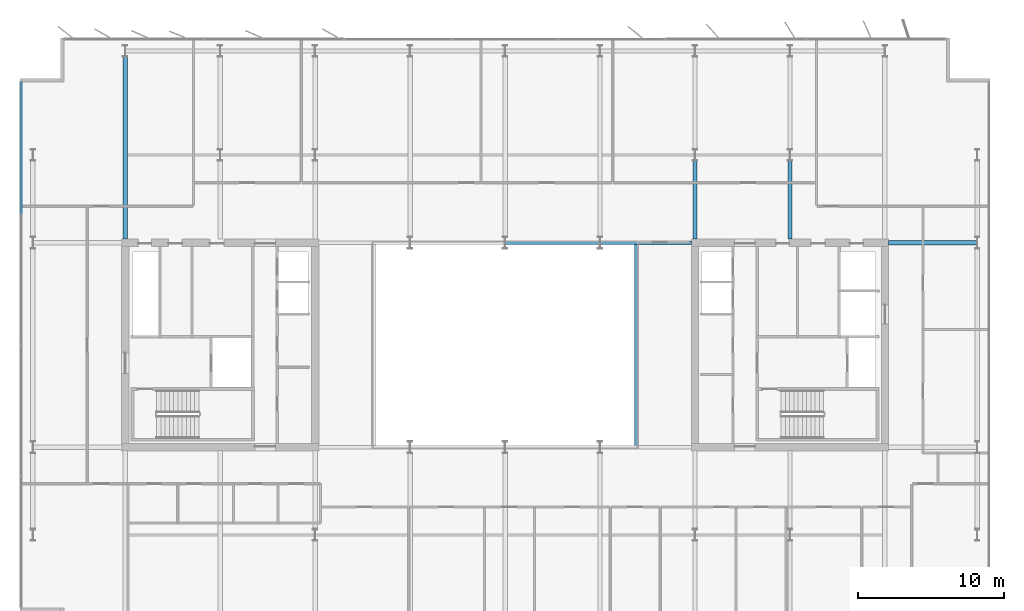
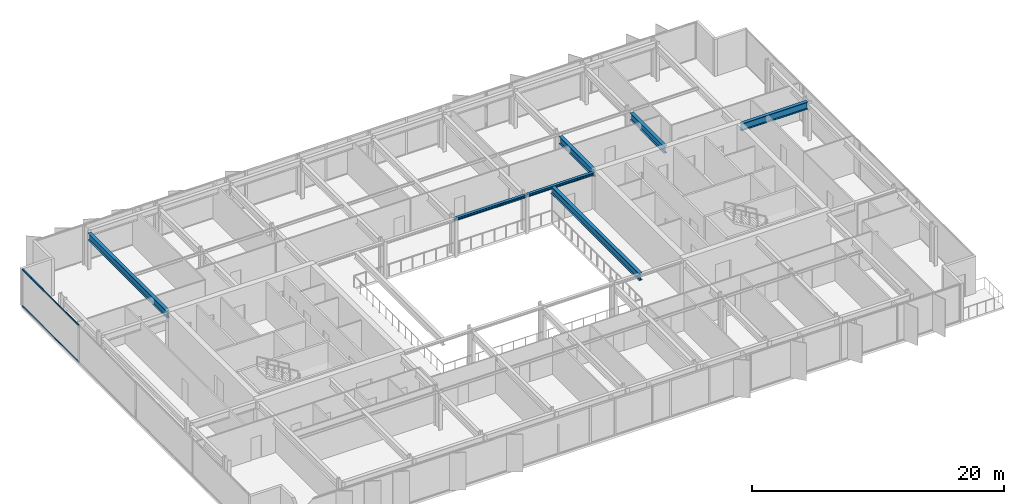
# One storey, part 9 of 24: 7 beams, 2 members, 1 element without a shape of its own.
"""IFC4 building model written with IfcOpenShell, lengths in metres."""

from ifc_helpers import new_model, si_unit, direction, frame, origin, origin_2d, place, context, subcontext, project, spatial, rectangle, i_section, extrude, material, layer, layer_set, material_profile, profile_set, type_object, element, aggregate, save


model = new_model("IFC4")

# Units and contexts
model_context = context("Model", 3, precision=1e-05, world=origin(), true_north=direction((0.0, 1.0)))
body_context = subcontext(model_context, "Body", "Model", "MODEL_VIEW")
ifc_project = project(units=[si_unit("LENGTHUNIT", "METRE"), si_unit("AREAUNIT", "SQUARE_METRE"), si_unit("VOLUMEUNIT", "CUBIC_METRE"), si_unit("PLANEANGLEUNIT", "RADIAN"), si_unit("MASSUNIT", "GRAM", prefix="KILO")], contexts=[model_context])

# Site, building, storey
site_placement = place(None, origin())
site = spatial("IfcSite", under=ifc_project, at=site_placement, CompositionType="ELEMENT")
building_placement = place(site_placement, origin())
building = spatial("IfcBuilding", under=site, at=building_placement, Name="Putna Gate Headquarters", CompositionType="ELEMENT")
storey_placement = place(building_placement, frame((0.0, 0.0, 240.39990234375)))
storey = spatial("IfcBuildingStorey", under=building, at=storey_placement, Name="L60", CompositionType="ELEMENT", Elevation=240.39990234375)

# Beams
ifc_material_1 = material(Name="Steel S355J2", Category="steel")
ifc_material_profile_1 = material_profile(ifc_material_1, i_section(OverallWidth=0.260009765625, OverallDepth=0.260009765625, WebThickness=0.010009765625, FlangeThickness=0.017578125, at=origin_2d()), Name="Steel S355J2")
ifc_profile_set_1 = profile_set([ifc_material_profile_1], Name="Steel S355J2")
beam_type_1 = type_object("IfcBeamType", Name="BM-ATRIUM-HEB260", PredefinedType="BEAM", material=ifc_profile_set_1)
beam_1_placement = place(storey_placement, frame((39.006103515625, 33.0, 3.4501953125), z_axis=(1.0, 0.0, 0.0), x_axis=(0.0, 1.0, 0.0)))
element("IfcBeam", 1, at=beam_1_placement, inside=storey, type_object=beam_type_1, Name="L60 Atrium Edge Beam AN3", PredefinedType="BEAM", context=body_context, shape_type="SweptSolid", body=[
    extrude(i_section(OverallWidth=0.260009765625, OverallDepth=0.260009765625, WebThickness=0.010009765625, FlangeThickness=0.017578125, at=origin_2d()), origin(), (0.0, 0.0, 1.0), 6.48779296875),
])
beam_2_placement = place(storey_placement, frame((45.506103515625, 33.0, 3.4501953125), z_axis=(1.0, 0.0, 0.0), x_axis=(0.0, 1.0, 0.0)))
element("IfcBeam", 2, at=beam_2_placement, inside=storey, type_object=beam_type_1, Name="L60 Atrium Edge Beam AN4", PredefinedType="BEAM", context=body_context, shape_type="SweptSolid", body=[
    extrude(i_section(OverallWidth=0.260009765625, OverallDepth=0.260009765625, WebThickness=0.010009765625, FlangeThickness=0.017578125, at=origin_2d()), origin(), (0.0, 0.0, 1.0), 6.2587890625),
])
ifc_material_profile_2 = material_profile(ifc_material_1, i_section(OverallWidth=0.300048828125, OverallDepth=0.699951171875, WebThickness=0.01708984375, FlangeThickness=0.031982421875, at=origin_2d()), Name="Steel S355J2")
ifc_profile_set_2 = profile_set([ifc_material_profile_2], Name="Steel S355J2")
beam_type_2 = type_object("IfcBeamType", Name="BM-GIRD-B-HEB700", PredefinedType="USERDEFINED", material=ifc_profile_set_2)
beam_3_placement = place(storey_placement, frame((65.235107421875, 33.0, 3.22998046875), z_axis=(1.0, 0.0, 0.0), x_axis=(0.0, 1.0, 0.0)))
element("IfcBeam", 3, at=beam_3_placement, inside=storey, type_object=beam_type_2, Name="L60 East Wing Girder Y33", ObjectType="GIRDER", PredefinedType="USERDEFINED", context=body_context, shape_type="SweptSolid", body=[
    extrude(i_section(OverallWidth=0.300048828125, OverallDepth=0.699951171875, WebThickness=0.01708984375, FlangeThickness=0.031982421875, at=origin_2d()), origin(), (0.0, 0.0, 1.0), 6.078857421875),
])
beam_4_placement = place(storey_placement, frame((13.0, 33.235107421875, 3.22998046875), z_axis=(0.0, 1.0, 0.0), x_axis=(-1.0, 0.0, 0.0)))
element("IfcBeam", 4, at=beam_4_placement, inside=storey, type_object=beam_type_2, Name="L60 North Primary Girder X13", ObjectType="GIRDER", PredefinedType="USERDEFINED", context=body_context, shape_type="SweptSolid", body=[
    extrude(i_section(OverallWidth=0.300048828125, OverallDepth=0.699951171875, WebThickness=0.01708984375, FlangeThickness=0.031982421875, at=origin_2d()), origin(), (0.0, 0.0, 1.0), 12.489990234375),
])
for number, where, z_axis, x_axis, name in (
    (5, (52.0, 33.235107421875, 3.22998046875), (0.0, 1.0, 0.0), (-1.0, 0.0, 0.0), "L60 North Primary Girder X52-1"),
    (6, (58.5, 33.235107421875, 3.22998046875), (0.0, 1.0, 0.0), (-1.0, 0.0, 0.0), "L60 North Primary Girder X58-1"),
):
    element("IfcBeam", number, at=place(storey_placement, frame(where, z_axis=z_axis, x_axis=x_axis)), inside=storey, type_object=beam_type_2, Name=name, ObjectType="GIRDER", PredefinedType="USERDEFINED", context=body_context, shape_type="SweptSolid", body=[
        extrude(i_section(OverallWidth=0.300048828125, OverallDepth=0.699951171875, WebThickness=0.01708984375, FlangeThickness=0.031982421875, at=origin_2d()), origin(), (0.0, 0.0, 1.0), 5.369873046875),
    ])
beam_5_placement = place(storey_placement, frame((48.0, 19.010009765625, 3.22998046875), z_axis=(0.0, 1.0, 0.0), x_axis=(-1.0, 0.0, 0.0)))
element("IfcBeam", 7, at=beam_5_placement, inside=storey, type_object=beam_type_2, Name="L60 Atrium Trim Girder AE", ObjectType="GIRDER", PredefinedType="USERDEFINED", context=body_context, shape_type="SweptSolid", body=[
    extrude(i_section(OverallWidth=0.300048828125, OverallDepth=0.699951171875, WebThickness=0.01708984375, FlangeThickness=0.031982421875, at=origin_2d()), origin(), (0.0, 0.0, 1.0), 13.97998046875),
])

# Curtain wall, members
ifc_material_2 = material(Name="Anodised bronze aluminium curtain wall", Category="aluminium")
ifc_layer = layer(ifc_material_2, 0.139892578125)
ifc_layer_set = layer_set([ifc_layer], Name="Anodised bronze aluminium curtain wall")
curtain_wall_type = type_object("IfcCurtainWallType", Name="CW-SYS-Z4", PredefinedType="USERDEFINED", material=ifc_layer_set)
curtain_wall_placement = place(storey_placement, origin())
curtain_wall = element("IfcCurtainWall", 8, at=curtain_wall_placement, inside=storey, type_object=curtain_wall_type, Name="L60 West Curtain Wall", ObjectType="STICK CURTAIN WALL", PredefinedType="USERDEFINED")
ifc_material_3 = material(Name="Anodised bronze aluminium EN AW-6060", Category="aluminium")
ifc_material_profile_3 = material_profile(ifc_material_3, rectangle(XDim=0.06005859375, YDim=0.10009765625, at=origin_2d()), Name="Anodised bronze aluminium EN AW-6060")
ifc_profile_set_3 = profile_set([ifc_material_profile_3], Name="Anodised bronze aluminium EN AW-6060")
member_type = type_object("IfcMemberType", Name="TRAN-CWT-4", PredefinedType="USERDEFINED", material=ifc_profile_set_3)
member_1_placement = place(storey_placement, frame((5.8798828125, 35.030029296875, 0.030029296875), z_axis=(0.0, 1.0, 0.0), x_axis=(-1.0, 0.0, 0.0)))
member_1 = element("IfcMember", 9, at=member_1_placement, type_object=member_type, Name="CWS-4 transom 4.1", ObjectType="TRANSOM", PredefinedType="USERDEFINED", context=body_context, shape_type="SweptSolid", body=[
    extrude(rectangle(XDim=0.06005859375, YDim=0.10009765625, at=origin_2d()), origin(), (0.0, 0.0, 1.0), 8.909912109375),
])
member_2_placement = place(storey_placement, frame((5.8798828125, 35.030029296875, 3.550048828125), z_axis=(0.0, 1.0, 0.0), x_axis=(-1.0, 0.0, 0.0)))
member_2 = element("IfcMember", 10, at=member_2_placement, type_object=member_type, Name="CWS-4 transom 4.2", ObjectType="TRANSOM", PredefinedType="USERDEFINED", context=body_context, shape_type="SweptSolid", body=[
    extrude(rectangle(XDim=0.06005859375, YDim=0.10009765625, at=origin_2d()), origin(), (0.0, 0.0, 1.0), 8.909912109375),
])
aggregate(curtain_wall, [member_1, member_2])

save(model, "model.ifc")
